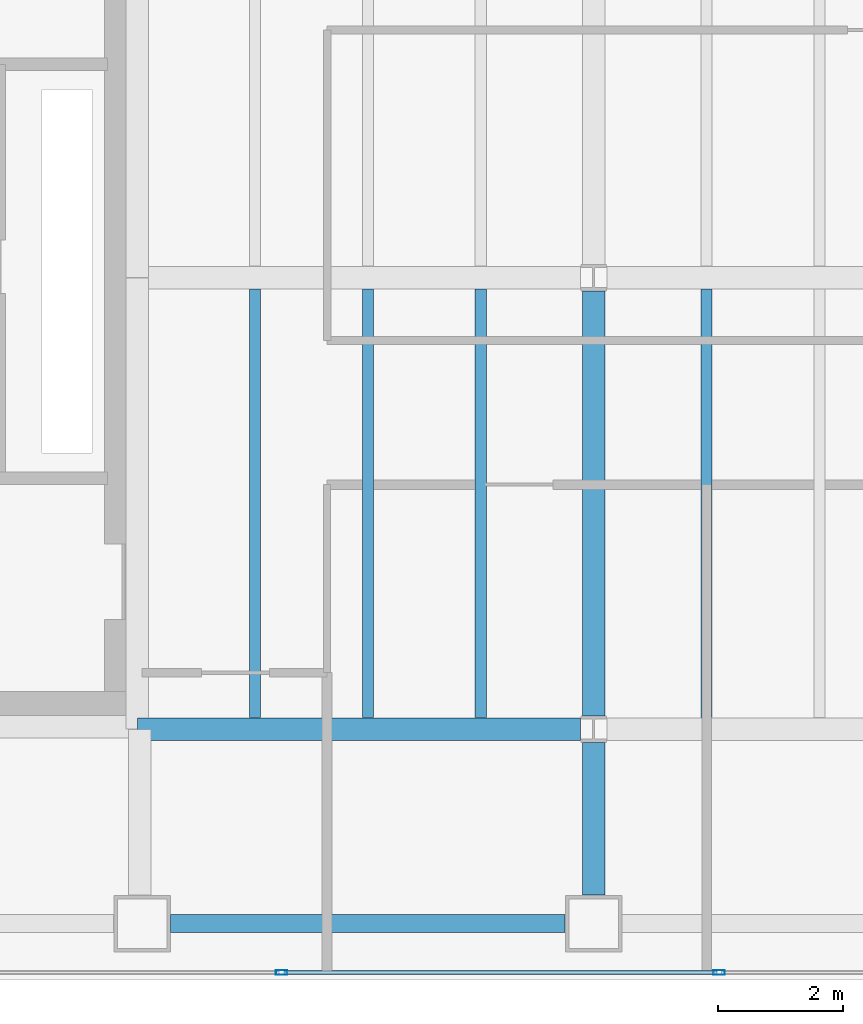
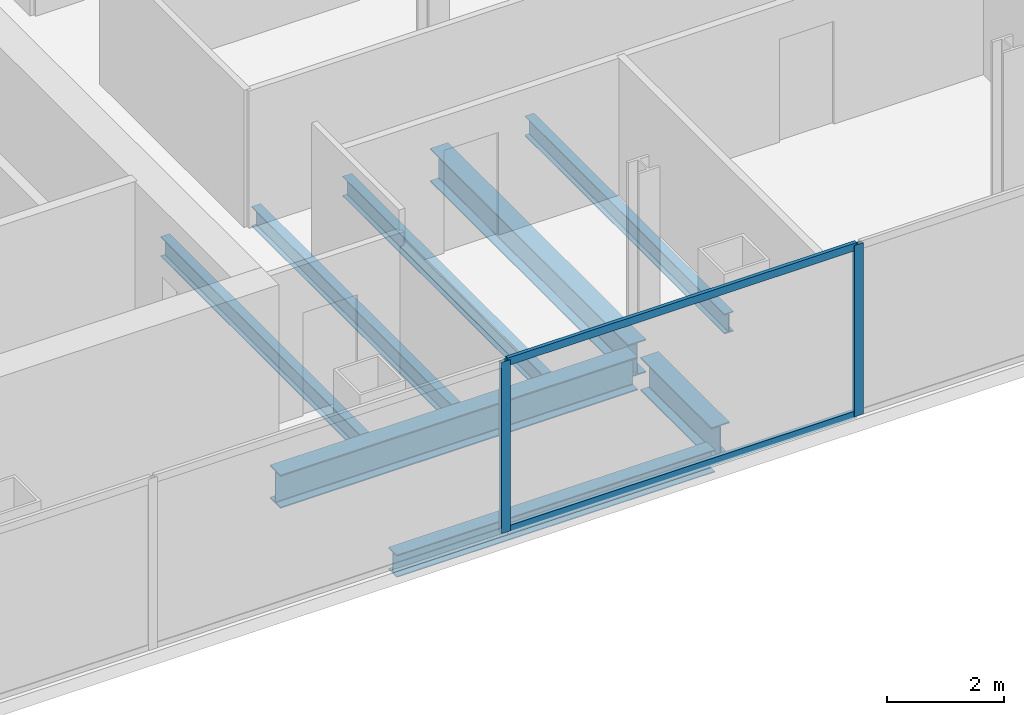
# One storey, part 4 of 23: 8 beams, 4 members, 1 element without a shape of its own.
"""IFC4 building model written with IfcOpenShell, lengths in metres."""

from ifc_helpers import new_model, si_unit, direction, frame, origin, origin_2d, place, context, subcontext, project, spatial, hollow_rectangle, i_section, extrude, material, material_profile, profile_set, type_object, element, aggregate, save


model = new_model("IFC4")

# Units and contexts
model_context = context("Model", 3, precision=1e-05, world=origin(), true_north=direction((0.0, 1.0)))
body_context = subcontext(model_context, "Body", "Model", "MODEL_VIEW")
ifc_project = project(units=[si_unit("LENGTHUNIT", "METRE"), si_unit("AREAUNIT", "SQUARE_METRE"), si_unit("VOLUMEUNIT", "CUBIC_METRE"), si_unit("PLANEANGLEUNIT", "RADIAN"), si_unit("MASSUNIT", "GRAM", prefix="KILO")], contexts=[model_context])

# Site, building, storey
site_placement = place(None, origin())
site = spatial("IfcSite", under=ifc_project, at=site_placement, CompositionType="ELEMENT")
building_placement = place(site_placement, origin())
building = spatial("IfcBuilding", under=site, at=building_placement, Name="Cobrela Telecom Tower", CompositionType="ELEMENT")
storey_placement = place(building_placement, frame((0.0, 0.0, 133.0)))
storey = spatial("IfcBuildingStorey", under=building, at=storey_placement, Name="L33", CompositionType="ELEMENT", Elevation=133.0)

# Beams
ifc_material_1 = material(Name="Steel ASTM A992 Grade 50", Category="steel")
ifc_material_profile_1 = material_profile(ifc_material_1, i_section(OverallWidth=0.35595703125, OverallDepth=0.696044921875, WebThickness=0.015380859375, FlangeThickness=0.024658203125, FilletRadius=0.01806640625, at=origin_2d()), Name="W27X146")
ifc_profile_set_1 = profile_set([ifc_material_profile_1], Name="Steel ASTM A992 Grade 50")
beam_type_1 = type_object("IfcBeamType", Name="BM-GIRD-05", PredefinedType="USERDEFINED", material=ifc_profile_set_1)
beam_1_placement = place(storey_placement, frame((14.324951171875, 7.199951171875, -0.617919921875), z_axis=(1.0, 0.0, 0.0), x_axis=(0.0, 1.0, 0.0)))
element("IfcBeam", 1, at=beam_1_placement, inside=storey, type_object=beam_type_1, Name="L33 Primary Girder X08", ObjectType="GIRDER", PredefinedType="USERDEFINED", context=body_context, shape_type="SweptSolid", body=[
    extrude(i_section(OverallWidth=0.35595703125, OverallDepth=0.696044921875, WebThickness=0.015380859375, FlangeThickness=0.024658203125, FilletRadius=0.01806640625, at=origin_2d()), origin(), (0.0, 0.0, 1.0), 7.0654296875),
])
beam_2_placement = place(storey_placement, frame((21.60009765625, 4.554931640625, -0.617919921875), z_axis=(0.0, 1.0, 0.0), x_axis=(-1.0, 0.0, 0.0)))
element("IfcBeam", 2, at=beam_2_placement, inside=storey, type_object=beam_type_1, Name="L33 Primary Girder Y39", ObjectType="GIRDER", PredefinedType="USERDEFINED", context=body_context, shape_type="SweptSolid", body=[
    extrude(i_section(OverallWidth=0.35595703125, OverallDepth=0.696044921875, WebThickness=0.015380859375, FlangeThickness=0.024658203125, FilletRadius=0.01806640625, at=origin_2d()), origin(), (0.0, 0.0, 1.0), 2.435546875),
])
beam_3_placement = place(storey_placement, frame((21.60009765625, 7.409423828125, -0.617919921875), z_axis=(0.0, 1.0, 0.0), x_axis=(-1.0, 0.0, 0.0)))
element("IfcBeam", 3, at=beam_3_placement, inside=storey, type_object=beam_type_1, Name="L33 Primary Girder Y40", ObjectType="GIRDER", PredefinedType="USERDEFINED", context=body_context, shape_type="SweptSolid", body=[
    extrude(i_section(OverallWidth=0.35595703125, OverallDepth=0.696044921875, WebThickness=0.015380859375, FlangeThickness=0.024658203125, FilletRadius=0.01806640625, at=origin_2d()), origin(), (0.0, 0.0, 1.0), 6.781005859375),
])
ifc_material_profile_2 = material_profile(ifc_material_1, i_section(OverallWidth=0.179931640625, OverallDepth=0.4169921875, WebThickness=0.010986328125, FlangeThickness=0.01806640625, FilletRadius=0.011962890625, at=origin_2d()), Name="W16X57")
ifc_profile_set_2 = profile_set([ifc_material_profile_2], Name="Steel ASTM A992 Grade 50")
beam_type_2 = type_object("IfcBeamType", Name="BM-JOIST-04", PredefinedType="JOIST", material=ifc_profile_set_2)
for number, where, z_axis, x_axis, name in (
    (4, (16.199951171875, 7.383056640625, -0.478515625), (0.0, 1.0, 0.0), (-1.0, 0.0, 0.0), "L33 Secondary Composite Floor Beam J04"),
    (5, (18.0, 7.383056640625, -0.478515625), (0.0, 1.0, 0.0), (-1.0, 0.0, 0.0), "L33 Secondary Composite Floor Beam J09"),
    (6, (19.800048828125, 7.383056640625, -0.478515625), (0.0, 1.0, 0.0), (-1.0, 0.0, 0.0), "L33 Secondary Composite Floor Beam J14"),
    (7, (23.39990234375, 7.383056640625, -0.478515625), (0.0, 1.0, 0.0), (-1.0, 0.0, 0.0), "L33 Secondary Composite Floor Beam J19"),
):
    element("IfcBeam", number, at=place(storey_placement, frame(where, z_axis=z_axis, x_axis=x_axis)), inside=storey, type_object=beam_type_2, Name=name, PredefinedType="JOIST", context=body_context, shape_type="SweptSolid", body=[
        extrude(i_section(OverallWidth=0.179931640625, OverallDepth=0.4169921875, WebThickness=0.010986328125, FlangeThickness=0.01806640625, FilletRadius=0.011962890625, at=origin_2d()), origin(), (0.0, 0.0, 1.0), 6.833984375),
    ])
ifc_material_profile_3 = material_profile(ifc_material_1, i_section(OverallWidth=0.281982421875, OverallDepth=0.467041015625, WebThickness=0.01220703125, FlangeThickness=0.01953125, FilletRadius=0.012939453125, at=origin_2d()), Name="W18X86")
ifc_profile_set_3 = profile_set([ifc_material_profile_3], Name="Steel ASTM A992 Grade 50")
beam_type_3 = type_object("IfcBeamType", Name="BM-SPAND-04", PredefinedType="SPANDREL", material=ifc_profile_set_3)
beam_4_placement = place(storey_placement, frame((14.85498046875, 4.10009765625, -0.50341796875), z_axis=(1.0, 0.0, 0.0), x_axis=(0.0, 1.0, 0.0)))
element("IfcBeam", 8, at=beam_4_placement, inside=storey, type_object=beam_type_3, Name="L33 Perimeter Spandrel X02", PredefinedType="SPANDREL", context=body_context, shape_type="SweptSolid", body=[
    extrude(i_section(OverallWidth=0.281982421875, OverallDepth=0.467041015625, WebThickness=0.01220703125, FlangeThickness=0.01953125, FilletRadius=0.012939453125, at=origin_2d()), origin(), (0.0, 0.0, 1.0), 6.2900390625),
])

# Curtain wall, members
ifc_material_2 = material(Name="Anodized Bronze Aluminium 6063-T6", Category="aluminium")
curtain_wall_type = type_object("IfcCurtainWallType", Name="CW-SYS-TEL", PredefinedType="USERDEFINED", material=ifc_material_2)
curtain_wall_placement = place(storey_placement, origin())
curtain_wall = element("IfcCurtainWall", 9, at=curtain_wall_placement, inside=storey, type_object=curtain_wall_type, Name="L33 Unitised Bronze Curtain Wall 17", ObjectType="UNITISED CURTAIN WALL", PredefinedType="USERDEFINED")
ifc_material_profile_4 = material_profile(ifc_material_2, hollow_rectangle(XDim=0.074951171875, YDim=0.179931640625, WallThickness=0.00390625, at=origin_2d()), Name="ALU 75x180x4")
ifc_profile_set_4 = profile_set([ifc_material_profile_4], Name="Anodized Bronze Aluminium 6063-T6")
member_type_1 = type_object("IfcMemberType", Name="CW-SYS-TEL-MUL", PredefinedType="MULLION", material=ifc_profile_set_4)
member_1_placement = place(storey_placement, frame((23.60009765625, 3.320068359375, 0.0), z_axis=(0.0, 0.0, 1.0), x_axis=(0.0, -1.0, 0.0)))
member_1 = element("IfcMember", 10, at=member_1_placement, type_object=member_type_1, Name="CW-TEL mullion 4", PredefinedType="MULLION", context=body_context, shape_type="SweptSolid", body=[
    extrude(hollow_rectangle(XDim=0.074951171875, YDim=0.179931640625, WallThickness=0.00390625, at=origin_2d()), origin(), (0.0, 0.0, 1.0), 3.580078125),
])
member_2_placement = place(storey_placement, frame((16.623291015625, 3.320068359375, 0.0), z_axis=(0.0, 0.0, 1.0), x_axis=(0.0, -1.0, 0.0)))
member_2 = element("IfcMember", 11, at=member_2_placement, type_object=member_type_1, Name="CW-TEL mullion 5", PredefinedType="MULLION", context=body_context, shape_type="SweptSolid", body=[
    extrude(hollow_rectangle(XDim=0.074951171875, YDim=0.179931640625, WallThickness=0.00390625, at=origin_2d()), origin(), (0.0, 0.0, 1.0), 3.580078125),
])
ifc_material_profile_5 = material_profile(ifc_material_2, hollow_rectangle(XDim=0.070068359375, YDim=0.159912109375, WallThickness=0.00390625, at=origin_2d()), Name="ALU 70x160x4")
ifc_profile_set_5 = profile_set([ifc_material_profile_5], Name="Anodized Bronze Aluminium 6063-T6")
member_type_2 = type_object("IfcMemberType", Name="CW-SYS-TEL-TRN", PredefinedType="USERDEFINED", material=ifc_profile_set_5)
member_3_placement = place(storey_placement, frame((23.5625, 3.320068359375, 0.034912109375), z_axis=(-1.0, 0.0, 0.0), x_axis=(0.0, -1.0, 0.0)))
member_3 = element("IfcMember", 12, at=member_3_placement, type_object=member_type_2, Name="CW-TEL transom 4.1", ObjectType="TRANSOM", PredefinedType="USERDEFINED", context=body_context, shape_type="SweptSolid", body=[
    extrude(hollow_rectangle(XDim=0.070068359375, YDim=0.159912109375, WallThickness=0.00390625, at=origin_2d()), origin(), (0.0, 0.0, 1.0), 6.901611328125),
])
member_4_placement = place(storey_placement, frame((23.5625, 3.320068359375, 3.544921875), z_axis=(-1.0, 0.0, 0.0), x_axis=(0.0, -1.0, 0.0)))
member_4 = element("IfcMember", 13, at=member_4_placement, type_object=member_type_2, Name="CW-TEL transom 4.2", ObjectType="TRANSOM", PredefinedType="USERDEFINED", context=body_context, shape_type="SweptSolid", body=[
    extrude(hollow_rectangle(XDim=0.070068359375, YDim=0.159912109375, WallThickness=0.00390625, at=origin_2d()), origin(), (0.0, 0.0, 1.0), 6.901611328125),
])
aggregate(curtain_wall, [member_1, member_2, member_3, member_4])

save(model, "model.ifc")
